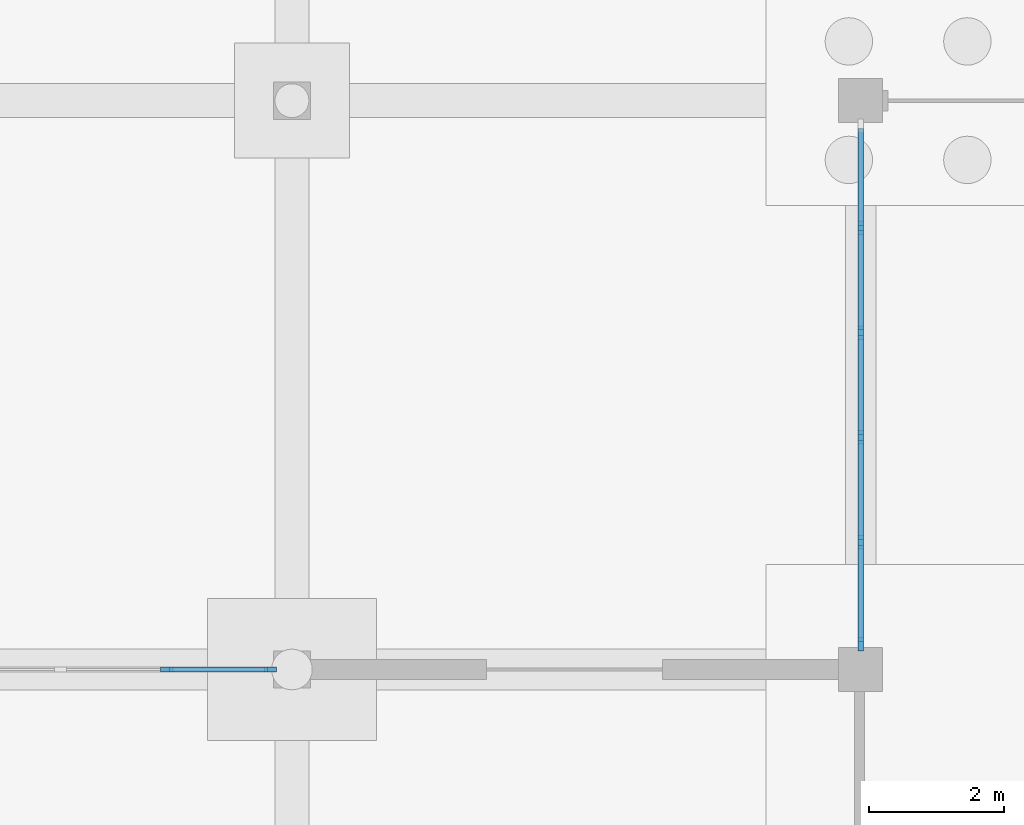
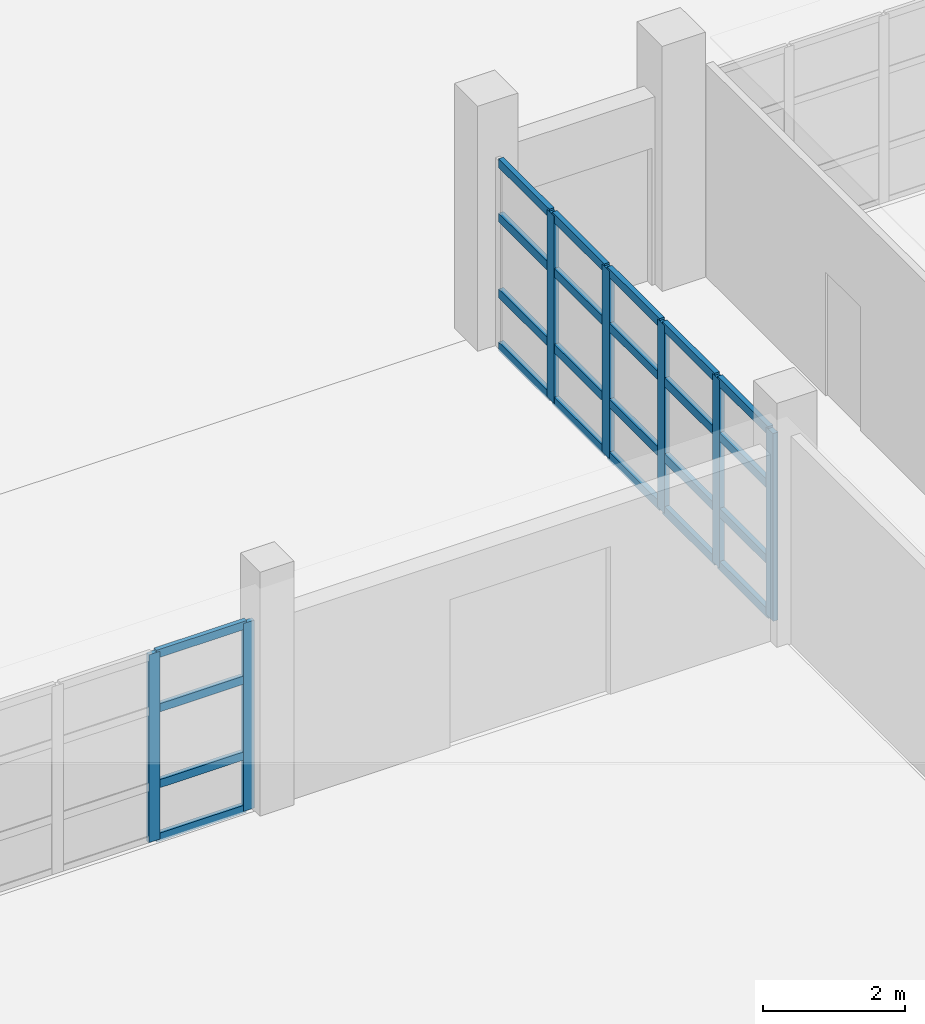
# One storey, part 32 of 88: 31 members, 2 elements without a shape of their own.
"""IFC4 building model written with IfcOpenShell, lengths in metres."""

from ifc_helpers import new_model, si_unit, direction, frame, origin, origin_2d, place, context, subcontext, project, spatial, rectangle, extrude, material, material_profile, profile_set, type_object, element, aggregate, save


model = new_model("IFC4")

# Units and contexts
model_context = context("Model", 3, precision=1e-05, world=origin(), true_north=direction((0.0, 1.0)))
body_context = subcontext(model_context, "Body", "Model", "MODEL_VIEW")
ifc_project = project(units=[si_unit("LENGTHUNIT", "METRE"), si_unit("AREAUNIT", "SQUARE_METRE"), si_unit("VOLUMEUNIT", "CUBIC_METRE"), si_unit("PLANEANGLEUNIT", "RADIAN"), si_unit("MASSUNIT", "GRAM", prefix="KILO")], contexts=[model_context])

# Site, building, storey
site_placement = place(None, origin())
site = spatial("IfcSite", under=ifc_project, at=site_placement, CompositionType="ELEMENT")
building_placement = place(site_placement, origin())
building = spatial("IfcBuilding", under=site, at=building_placement, Name="Vanh Quang Courtyard School", CompositionType="ELEMENT")
storey_placement = place(building_placement, origin())
storey = spatial("IfcBuildingStorey", under=building, at=storey_placement, Name="L00", CompositionType="ELEMENT", Elevation=0.0)

# Curtain wall, members
ifc_material_1 = material(Name="Thermally broken aluminium unitised curtain wall", Category="aluminium")
curtain_wall_type_1 = type_object("IfcCurtainWallType", Name="CW-SYS-01", PredefinedType="NOTDEFINED", material=ifc_material_1)
curtain_wall_1_placement = place(storey_placement, origin())
curtain_wall_1 = element("IfcCurtainWall", 1, at=curtain_wall_1_placement, inside=storey, type_object=curtain_wall_type_1, Name="Curtain Wall CW-01 (L00)", PredefinedType="NOTDEFINED")
ifc_material_2 = material(Name="Anodised aluminium 6063-T6", Category="aluminium")
ifc_material_profile_1 = material_profile(ifc_material_2, rectangle(XDim=0.070068359375, YDim=0.179931640625, at=origin_2d()), Name="ALU-MUL 70x180")
ifc_profile_set_1 = profile_set([ifc_material_profile_1], Name="Anodised aluminium 6063-T6")
member_type_1 = type_object("IfcMemberType", Name="CW-MUL-70x180", PredefinedType="MULLION", material=ifc_profile_set_1)
member_1_placement = place(storey_placement, frame((64.150146484375, 88.199951171875, 0.0), z_axis=(0.0, 0.0, 1.0), x_axis=(0.0, 1.0, 0.0)))
member_1 = element("IfcMember", 2, at=member_1_placement, type_object=member_type_1, Name="CW-01 mullion 5", PredefinedType="MULLION", context=body_context, shape_type="SweptSolid", body=[
    extrude(rectangle(XDim=0.070068359375, YDim=0.179931640625, at=origin_2d()), origin(), (0.0, 0.0, 1.0), 3.219970703125),
])
member_2_placement = place(storey_placement, frame((65.681884765625, 88.199951171875, 0.0), z_axis=(0.0, 0.0, 1.0), x_axis=(0.0, 1.0, 0.0)))
member_2 = element("IfcMember", 3, at=member_2_placement, type_object=member_type_1, Name="CW-01 mullion 6", PredefinedType="MULLION", context=body_context, shape_type="SweptSolid", body=[
    extrude(rectangle(XDim=0.070068359375, YDim=0.179931640625, at=origin_2d()), origin(), (0.0, 0.0, 1.0), 3.219970703125),
])

curtain_wall_type_2 = type_object("IfcCurtainWallType", Name="CW-SYS-02", PredefinedType="NOTDEFINED", material=ifc_material_1)
curtain_wall_2_placement = place(storey_placement, origin())
curtain_wall_2 = element("IfcCurtainWall", 4, at=curtain_wall_2_placement, inside=storey, type_object=curtain_wall_type_2, Name="Curtain Wall CW-02 (L00)", PredefinedType="NOTDEFINED")
ifc_material_profile_2 = material_profile(ifc_material_2, rectangle(XDim=0.080078125, YDim=0.199951171875, at=origin_2d()), Name="ALU-MUL 80x200")
ifc_profile_set_2 = profile_set([ifc_material_profile_2], Name="Anodised aluminium 6063-T6")
member_type_2 = type_object("IfcMemberType", Name="CW-MUL-80x200", PredefinedType="MULLION", material=ifc_profile_set_2)
member_3_placement = place(storey_placement, frame((74.39990234375, 88.572998046875, 0.0), z_axis=(0.0, 0.0, 1.0), x_axis=(-1.0, 0.0, 0.0)))
member_3 = element("IfcMember", 5, at=member_3_placement, type_object=member_type_2, Name="CW-02 mullion 1", PredefinedType="MULLION", context=body_context, shape_type="SweptSolid", body=[
    extrude(rectangle(XDim=0.080078125, YDim=0.199951171875, at=origin_2d()), origin(), (0.0, 0.0, 1.0), 3.219970703125),
])
member_4_placement = place(storey_placement, frame((74.39990234375, 90.079833984375, 0.0), z_axis=(0.0, 0.0, 1.0), x_axis=(-1.0, 0.0, 0.0)))
member_4 = element("IfcMember", 6, at=member_4_placement, type_object=member_type_2, Name="CW-02 mullion 2", PredefinedType="MULLION", context=body_context, shape_type="SweptSolid", body=[
    extrude(rectangle(XDim=0.080078125, YDim=0.199951171875, at=origin_2d()), origin(), (0.0, 0.0, 1.0), 3.219970703125),
])
member_5_placement = place(storey_placement, frame((74.39990234375, 91.626708984375, 0.0), z_axis=(0.0, 0.0, 1.0), x_axis=(-1.0, 0.0, 0.0)))
member_5 = element("IfcMember", 7, at=member_5_placement, type_object=member_type_2, Name="CW-02 mullion 3", PredefinedType="MULLION", context=body_context, shape_type="SweptSolid", body=[
    extrude(rectangle(XDim=0.080078125, YDim=0.199951171875, at=origin_2d()), origin(), (0.0, 0.0, 1.0), 3.219970703125),
])
member_6_placement = place(storey_placement, frame((74.39990234375, 93.17333984375, 0.0), z_axis=(0.0, 0.0, 1.0), x_axis=(-1.0, 0.0, 0.0)))
member_6 = element("IfcMember", 8, at=member_6_placement, type_object=member_type_2, Name="CW-02 mullion 4", PredefinedType="MULLION", context=body_context, shape_type="SweptSolid", body=[
    extrude(rectangle(XDim=0.080078125, YDim=0.199951171875, at=origin_2d()), origin(), (0.0, 0.0, 1.0), 3.219970703125),
])
member_7_placement = place(storey_placement, frame((74.39990234375, 94.72021484375, 0.0), z_axis=(0.0, 0.0, 1.0), x_axis=(-1.0, 0.0, 0.0)))
member_7 = element("IfcMember", 9, at=member_7_placement, type_object=member_type_2, Name="CW-02 mullion 5", PredefinedType="MULLION", context=body_context, shape_type="SweptSolid", body=[
    extrude(rectangle(XDim=0.080078125, YDim=0.199951171875, at=origin_2d()), origin(), (0.0, 0.0, 1.0), 3.219970703125),
])

# Member
ifc_material_profile_3 = material_profile(ifc_material_2, rectangle(XDim=0.070068359375, YDim=0.139892578125, at=origin_2d()), Name="ALU-TRN 70x140")
ifc_profile_set_3 = profile_set([ifc_material_profile_3], Name="Anodised aluminium 6063-T6")
member_type_3 = type_object("IfcMemberType", Name="CW-TRN-70x140", PredefinedType="USERDEFINED", material=ifc_profile_set_3)
member_8_placement = place(storey_placement, frame((64.185302734375, 88.199951171875, 0.034912109375), z_axis=(1.0, 0.0, 0.0), x_axis=(0.0, 1.0, 0.0)))
member_8 = element("IfcMember", 10, at=member_8_placement, type_object=member_type_3, Name="CW-01 transom 5.1", ObjectType="TRANSOM", PredefinedType="USERDEFINED", context=body_context, shape_type="SweptSolid", body=[
    extrude(rectangle(XDim=0.070068359375, YDim=0.139892578125, at=origin_2d()), origin(), (0.0, 0.0, 1.0), 1.461669921875),
])

member_9_placement = place(storey_placement, frame((64.185302734375, 88.199951171875, 0.949951171875), z_axis=(1.0, 0.0, 0.0), x_axis=(0.0, 1.0, 0.0)))
member_9 = element("IfcMember", 11, at=member_9_placement, type_object=member_type_3, Name="CW-01 transom 5.2", ObjectType="TRANSOM", PredefinedType="USERDEFINED", context=body_context, shape_type="SweptSolid", body=[
    extrude(rectangle(XDim=0.070068359375, YDim=0.139892578125, at=origin_2d()), origin(), (0.0, 0.0, 1.0), 1.461669921875),
])

member_10_placement = place(storey_placement, frame((64.185302734375, 88.199951171875, 2.25), z_axis=(1.0, 0.0, 0.0), x_axis=(0.0, 1.0, 0.0)))
member_10 = element("IfcMember", 12, at=member_10_placement, type_object=member_type_3, Name="CW-01 transom 5.3", ObjectType="TRANSOM", PredefinedType="USERDEFINED", context=body_context, shape_type="SweptSolid", body=[
    extrude(rectangle(XDim=0.070068359375, YDim=0.139892578125, at=origin_2d()), origin(), (0.0, 0.0, 1.0), 1.461669921875),
])

member_11_placement = place(storey_placement, frame((64.185302734375, 88.199951171875, 3.18505859375), z_axis=(1.0, 0.0, 0.0), x_axis=(0.0, 1.0, 0.0)))
member_11 = element("IfcMember", 13, at=member_11_placement, type_object=member_type_3, Name="CW-01 transom 5.4", ObjectType="TRANSOM", PredefinedType="USERDEFINED", context=body_context, shape_type="SweptSolid", body=[
    extrude(rectangle(XDim=0.070068359375, YDim=0.139892578125, at=origin_2d()), origin(), (0.0, 0.0, 1.0), 1.461669921875),
])

aggregate(curtain_wall_1, [member_1, member_2, member_8, member_9, member_10, member_11])

ifc_material_profile_4 = material_profile(ifc_material_2, rectangle(XDim=0.080078125, YDim=0.14990234375, at=origin_2d()), Name="ALU-TRN 80x150")
ifc_profile_set_4 = profile_set([ifc_material_profile_4], Name="Anodised aluminium 6063-T6")
member_type_4 = type_object("IfcMemberType", Name="CW-TRN-80x150", PredefinedType="USERDEFINED", material=ifc_profile_set_4)
member_12_placement = place(storey_placement, frame((74.39990234375, 88.613037109375, 0.0400390625), z_axis=(0.0, 1.0, 0.0), x_axis=(-1.0, 0.0, 0.0)))
member_12 = element("IfcMember", 14, at=member_12_placement, type_object=member_type_4, Name="CW-02 transom 1.1", ObjectType="TRANSOM", PredefinedType="USERDEFINED", context=body_context, shape_type="SweptSolid", body=[
    extrude(rectangle(XDim=0.080078125, YDim=0.14990234375, at=origin_2d()), origin(), (0.0, 0.0, 1.0), 1.4267578125),
])

member_13_placement = place(storey_placement, frame((74.39990234375, 88.613037109375, 0.949951171875), z_axis=(0.0, 1.0, 0.0), x_axis=(-1.0, 0.0, 0.0)))
member_13 = element("IfcMember", 15, at=member_13_placement, type_object=member_type_4, Name="CW-02 transom 1.2", ObjectType="TRANSOM", PredefinedType="USERDEFINED", context=body_context, shape_type="SweptSolid", body=[
    extrude(rectangle(XDim=0.080078125, YDim=0.14990234375, at=origin_2d()), origin(), (0.0, 0.0, 1.0), 1.4267578125),
])

member_14_placement = place(storey_placement, frame((74.39990234375, 88.613037109375, 2.25), z_axis=(0.0, 1.0, 0.0), x_axis=(-1.0, 0.0, 0.0)))
member_14 = element("IfcMember", 16, at=member_14_placement, type_object=member_type_4, Name="CW-02 transom 1.3", ObjectType="TRANSOM", PredefinedType="USERDEFINED", context=body_context, shape_type="SweptSolid", body=[
    extrude(rectangle(XDim=0.080078125, YDim=0.14990234375, at=origin_2d()), origin(), (0.0, 0.0, 1.0), 1.4267578125),
])

member_15_placement = place(storey_placement, frame((74.39990234375, 88.613037109375, 3.179931640625), z_axis=(0.0, 1.0, 0.0), x_axis=(-1.0, 0.0, 0.0)))
member_15 = element("IfcMember", 17, at=member_15_placement, type_object=member_type_4, Name="CW-02 transom 1.4", ObjectType="TRANSOM", PredefinedType="USERDEFINED", context=body_context, shape_type="SweptSolid", body=[
    extrude(rectangle(XDim=0.080078125, YDim=0.14990234375, at=origin_2d()), origin(), (0.0, 0.0, 1.0), 1.4267578125),
])

member_16_placement = place(storey_placement, frame((74.39990234375, 90.119873046875, 0.0400390625), z_axis=(0.0, 1.0, 0.0), x_axis=(-1.0, 0.0, 0.0)))
member_16 = element("IfcMember", 18, at=member_16_placement, type_object=member_type_4, Name="CW-02 transom 2.1", ObjectType="TRANSOM", PredefinedType="USERDEFINED", context=body_context, shape_type="SweptSolid", body=[
    extrude(rectangle(XDim=0.080078125, YDim=0.14990234375, at=origin_2d()), origin(), (0.0, 0.0, 1.0), 1.466796875),
])

member_17_placement = place(storey_placement, frame((74.39990234375, 90.119873046875, 0.949951171875), z_axis=(0.0, 1.0, 0.0), x_axis=(-1.0, 0.0, 0.0)))
member_17 = element("IfcMember", 19, at=member_17_placement, type_object=member_type_4, Name="CW-02 transom 2.2", ObjectType="TRANSOM", PredefinedType="USERDEFINED", context=body_context, shape_type="SweptSolid", body=[
    extrude(rectangle(XDim=0.080078125, YDim=0.14990234375, at=origin_2d()), origin(), (0.0, 0.0, 1.0), 1.466796875),
])

member_18_placement = place(storey_placement, frame((74.39990234375, 90.119873046875, 2.25), z_axis=(0.0, 1.0, 0.0), x_axis=(-1.0, 0.0, 0.0)))
member_18 = element("IfcMember", 20, at=member_18_placement, type_object=member_type_4, Name="CW-02 transom 2.3", ObjectType="TRANSOM", PredefinedType="USERDEFINED", context=body_context, shape_type="SweptSolid", body=[
    extrude(rectangle(XDim=0.080078125, YDim=0.14990234375, at=origin_2d()), origin(), (0.0, 0.0, 1.0), 1.466796875),
])

member_19_placement = place(storey_placement, frame((74.39990234375, 90.119873046875, 3.179931640625), z_axis=(0.0, 1.0, 0.0), x_axis=(-1.0, 0.0, 0.0)))
member_19 = element("IfcMember", 21, at=member_19_placement, type_object=member_type_4, Name="CW-02 transom 2.4", ObjectType="TRANSOM", PredefinedType="USERDEFINED", context=body_context, shape_type="SweptSolid", body=[
    extrude(rectangle(XDim=0.080078125, YDim=0.14990234375, at=origin_2d()), origin(), (0.0, 0.0, 1.0), 1.466796875),
])

member_20_placement = place(storey_placement, frame((74.39990234375, 91.66650390625, 0.0400390625), z_axis=(0.0, 1.0, 0.0), x_axis=(-1.0, 0.0, 0.0)))
member_20 = element("IfcMember", 22, at=member_20_placement, type_object=member_type_4, Name="CW-02 transom 3.1", ObjectType="TRANSOM", PredefinedType="USERDEFINED", context=body_context, shape_type="SweptSolid", body=[
    extrude(rectangle(XDim=0.080078125, YDim=0.14990234375, at=origin_2d()), origin(), (0.0, 0.0, 1.0), 1.466796875),
])

member_21_placement = place(storey_placement, frame((74.39990234375, 91.66650390625, 0.949951171875), z_axis=(0.0, 1.0, 0.0), x_axis=(-1.0, 0.0, 0.0)))
member_21 = element("IfcMember", 23, at=member_21_placement, type_object=member_type_4, Name="CW-02 transom 3.2", ObjectType="TRANSOM", PredefinedType="USERDEFINED", context=body_context, shape_type="SweptSolid", body=[
    extrude(rectangle(XDim=0.080078125, YDim=0.14990234375, at=origin_2d()), origin(), (0.0, 0.0, 1.0), 1.466796875),
])

member_22_placement = place(storey_placement, frame((74.39990234375, 91.66650390625, 2.25), z_axis=(0.0, 1.0, 0.0), x_axis=(-1.0, 0.0, 0.0)))
member_22 = element("IfcMember", 24, at=member_22_placement, type_object=member_type_4, Name="CW-02 transom 3.3", ObjectType="TRANSOM", PredefinedType="USERDEFINED", context=body_context, shape_type="SweptSolid", body=[
    extrude(rectangle(XDim=0.080078125, YDim=0.14990234375, at=origin_2d()), origin(), (0.0, 0.0, 1.0), 1.466796875),
])

member_23_placement = place(storey_placement, frame((74.39990234375, 91.66650390625, 3.179931640625), z_axis=(0.0, 1.0, 0.0), x_axis=(-1.0, 0.0, 0.0)))
member_23 = element("IfcMember", 25, at=member_23_placement, type_object=member_type_4, Name="CW-02 transom 3.4", ObjectType="TRANSOM", PredefinedType="USERDEFINED", context=body_context, shape_type="SweptSolid", body=[
    extrude(rectangle(XDim=0.080078125, YDim=0.14990234375, at=origin_2d()), origin(), (0.0, 0.0, 1.0), 1.466796875),
])

member_24_placement = place(storey_placement, frame((74.39990234375, 93.21337890625, 0.0400390625), z_axis=(0.0, 1.0, 0.0), x_axis=(-1.0, 0.0, 0.0)))
member_24 = element("IfcMember", 26, at=member_24_placement, type_object=member_type_4, Name="CW-02 transom 4.1", ObjectType="TRANSOM", PredefinedType="USERDEFINED", context=body_context, shape_type="SweptSolid", body=[
    extrude(rectangle(XDim=0.080078125, YDim=0.14990234375, at=origin_2d()), origin(), (0.0, 0.0, 1.0), 1.466796875),
])

member_25_placement = place(storey_placement, frame((74.39990234375, 93.21337890625, 0.949951171875), z_axis=(0.0, 1.0, 0.0), x_axis=(-1.0, 0.0, 0.0)))
member_25 = element("IfcMember", 27, at=member_25_placement, type_object=member_type_4, Name="CW-02 transom 4.2", ObjectType="TRANSOM", PredefinedType="USERDEFINED", context=body_context, shape_type="SweptSolid", body=[
    extrude(rectangle(XDim=0.080078125, YDim=0.14990234375, at=origin_2d()), origin(), (0.0, 0.0, 1.0), 1.466796875),
])

member_26_placement = place(storey_placement, frame((74.39990234375, 93.21337890625, 2.25), z_axis=(0.0, 1.0, 0.0), x_axis=(-1.0, 0.0, 0.0)))
member_26 = element("IfcMember", 28, at=member_26_placement, type_object=member_type_4, Name="CW-02 transom 4.3", ObjectType="TRANSOM", PredefinedType="USERDEFINED", context=body_context, shape_type="SweptSolid", body=[
    extrude(rectangle(XDim=0.080078125, YDim=0.14990234375, at=origin_2d()), origin(), (0.0, 0.0, 1.0), 1.466796875),
])

member_27_placement = place(storey_placement, frame((74.39990234375, 93.21337890625, 3.179931640625), z_axis=(0.0, 1.0, 0.0), x_axis=(-1.0, 0.0, 0.0)))
member_27 = element("IfcMember", 29, at=member_27_placement, type_object=member_type_4, Name="CW-02 transom 4.4", ObjectType="TRANSOM", PredefinedType="USERDEFINED", context=body_context, shape_type="SweptSolid", body=[
    extrude(rectangle(XDim=0.080078125, YDim=0.14990234375, at=origin_2d()), origin(), (0.0, 0.0, 1.0), 1.466796875),
])

member_28_placement = place(storey_placement, frame((74.39990234375, 94.76025390625, 0.0400390625), z_axis=(0.0, 1.0, 0.0), x_axis=(-1.0, 0.0, 0.0)))
member_28 = element("IfcMember", 30, at=member_28_placement, type_object=member_type_4, Name="CW-02 transom 5.1", ObjectType="TRANSOM", PredefinedType="USERDEFINED", context=body_context, shape_type="SweptSolid", body=[
    extrude(rectangle(XDim=0.080078125, YDim=0.14990234375, at=origin_2d()), origin(), (0.0, 0.0, 1.0), 1.4267578125),
])

member_29_placement = place(storey_placement, frame((74.39990234375, 94.76025390625, 0.949951171875), z_axis=(0.0, 1.0, 0.0), x_axis=(-1.0, 0.0, 0.0)))
member_29 = element("IfcMember", 31, at=member_29_placement, type_object=member_type_4, Name="CW-02 transom 5.2", ObjectType="TRANSOM", PredefinedType="USERDEFINED", context=body_context, shape_type="SweptSolid", body=[
    extrude(rectangle(XDim=0.080078125, YDim=0.14990234375, at=origin_2d()), origin(), (0.0, 0.0, 1.0), 1.4267578125),
])

member_30_placement = place(storey_placement, frame((74.39990234375, 94.76025390625, 2.25), z_axis=(0.0, 1.0, 0.0), x_axis=(-1.0, 0.0, 0.0)))
member_30 = element("IfcMember", 32, at=member_30_placement, type_object=member_type_4, Name="CW-02 transom 5.3", ObjectType="TRANSOM", PredefinedType="USERDEFINED", context=body_context, shape_type="SweptSolid", body=[
    extrude(rectangle(XDim=0.080078125, YDim=0.14990234375, at=origin_2d()), origin(), (0.0, 0.0, 1.0), 1.4267578125),
])

member_31_placement = place(storey_placement, frame((74.39990234375, 94.76025390625, 3.179931640625), z_axis=(0.0, 1.0, 0.0), x_axis=(-1.0, 0.0, 0.0)))
member_31 = element("IfcMember", 33, at=member_31_placement, type_object=member_type_4, Name="CW-02 transom 5.4", ObjectType="TRANSOM", PredefinedType="USERDEFINED", context=body_context, shape_type="SweptSolid", body=[
    extrude(rectangle(XDim=0.080078125, YDim=0.14990234375, at=origin_2d()), origin(), (0.0, 0.0, 1.0), 1.4267578125),
])

aggregate(curtain_wall_2, [member_3, member_4, member_5, member_6, member_7, member_12, member_13, member_14, member_15, member_16, member_17, member_18, member_19, member_20, member_21, member_22, member_23, member_24, member_25, member_26, member_27, member_28, member_29, member_30, member_31])

save(model, "model.ifc")
